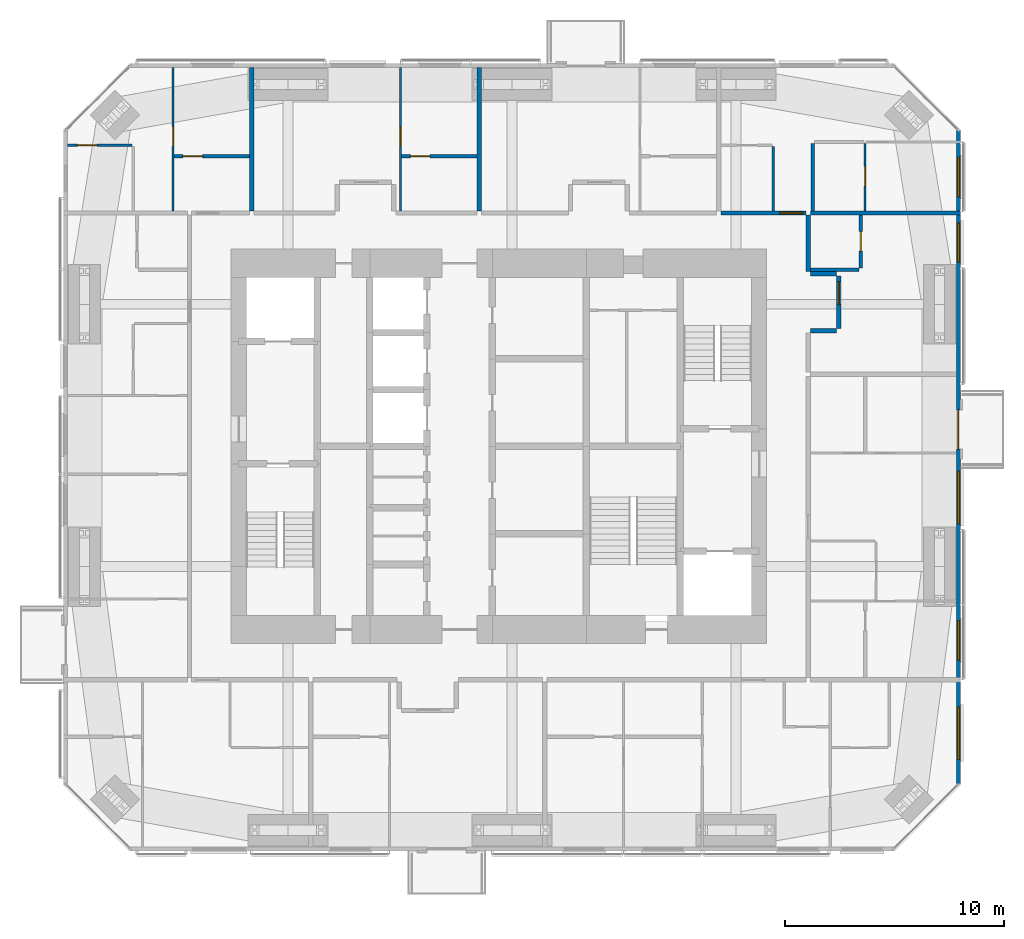
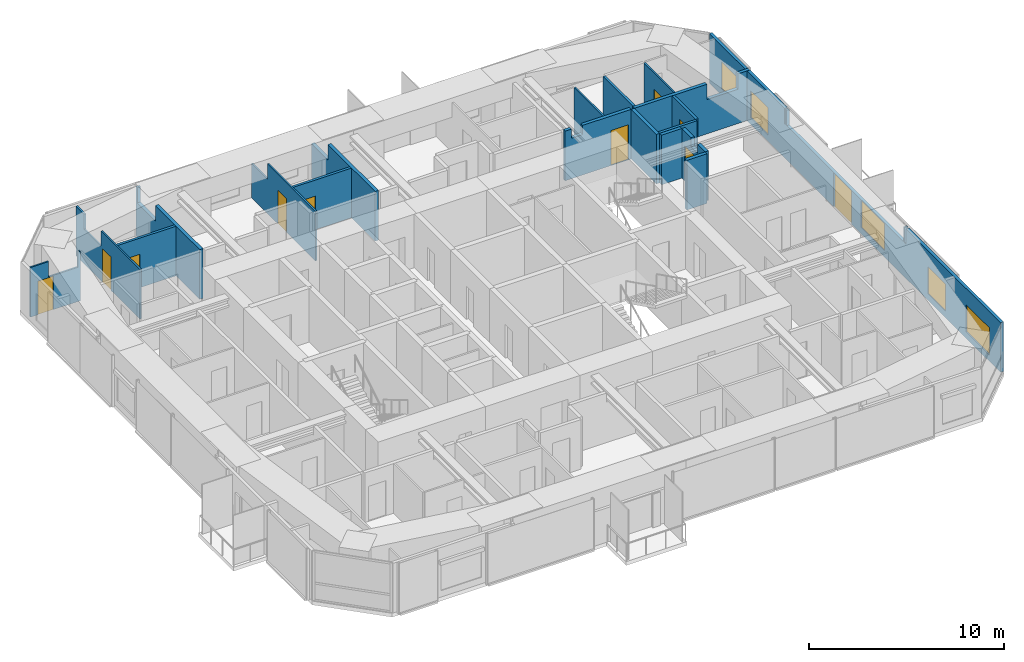
# One storey, part 21 of 23: 19 walls, 10 doors, 5 windows, 15 openings.
"""IFC4 building model written with IfcOpenShell, lengths in metres."""

from ifc_helpers import new_model, si_unit, direction, frame, frame_2d, origin, place, context, subcontext, project, spatial, polyline, rectangle, outline, extrude, material, constituent, constituent_set, type_object, element, fill, save


model = new_model("IFC4")

# Units and contexts
model_context = context("Model", 3, precision=1e-05, world=origin(), true_north=direction((0.0, 1.0)))
body_context = subcontext(model_context, "Body", "Model", "MODEL_VIEW")
ifc_project = project(units=[si_unit("LENGTHUNIT", "METRE"), si_unit("AREAUNIT", "SQUARE_METRE"), si_unit("VOLUMEUNIT", "CUBIC_METRE"), si_unit("PLANEANGLEUNIT", "RADIAN"), si_unit("MASSUNIT", "GRAM", prefix="KILO")], contexts=[model_context])

# Site, building, storey
site_placement = place(None, origin())
site = spatial("IfcSite", under=ifc_project, at=site_placement, CompositionType="ELEMENT")
building_placement = place(site_placement, origin())
building = spatial("IfcBuilding", under=site, at=building_placement, Name="Jalousie Tower", CompositionType="ELEMENT")
storey_placement = place(building_placement, frame((0.0, 0.0, 191.199951171875)))
storey = spatial("IfcBuildingStorey", under=building, at=storey_placement, Name="L52", CompositionType="ELEMENT", Elevation=191.199951171875)

# Wall, opening, door
ifc_material_1 = material(Name="Concrete block ASTM C90", Category="concrete")
ifc_constituent_1 = constituent(ifc_material_1, Name="Body")
ifc_material_2 = material(Name="Render")
ifc_constituent_2 = constituent(ifc_material_2, Name="Finish")
ifc_constituent_set_1 = constituent_set(constituents=[ifc_constituent_1, ifc_constituent_2])
wall_type_1 = type_object("IfcWallType", Name="BATHROOM WALL 150", PredefinedType="PLUMBINGWALL", material=ifc_constituent_set_1)
wall_1_placement = place(storey_placement, frame((17.050048828125, 31.77490234375, 0.0), z_axis=(0.0, 0.0, 1.0), x_axis=(1.0, 0.0, 0.0)))
wall_1 = element("IfcWall", 1, at=wall_1_placement, inside=storey, type_object=wall_type_1, Name="Bathroom Wall 150 L52", PredefinedType="PLUMBINGWALL", context=body_context, shape_type="SweptSolid", body=[
    extrude(rectangle(XDim=3.449951171875, YDim=0.14990234375, at=frame_2d((1.72509765625, 0.0))), origin(), (0.0, 0.0, 1.0), 3.110107421875),
])
opening_1_placement = place(wall_1_placement, frame((0.39990234375, 0.0, 0.0)))
opening_1 = element("IfcOpeningElement", 2, at=opening_1_placement, cuts=wall_1, Name="Opening D3", PredefinedType="OPENING", context=body_context, shape_type="SweptSolid", body=[
    extrude(rectangle(XDim=0.89990234375, YDim=2.10009765625, at=frame_2d((0.449951171875, 1.050048828125))), frame((0.0, 0.0849609375, 0.0), z_axis=(0.0, -1.0, 0.0), x_axis=(1.0, 0.0, 0.0)), (0.0, 0.0, 1.0), 0.169921875),
])
ifc_material_3 = material(Name="Timber door", Category="wood")
door_type_1 = type_object("IfcDoorType", Name="BATHROOM DOOR 900", OperationType="SINGLE_SWING_LEFT", PredefinedType="DOOR", material=ifc_material_3)
door_1_placement = place(opening_1_placement, frame((0.89990234375, 0.0, 0.0), z_axis=(0.0, 0.0, 1.0), x_axis=(-1.0, 0.0, 0.0)))
door_1 = element("IfcDoor", 3, at=door_1_placement, inside=storey, type_object=door_type_1, Name="Apartment 5204 bedroom 1 bathroom door", OperationType="SINGLE_SWING_RIGHT", OverallHeight=2.10009765625, OverallWidth=0.89990234375, PredefinedType="DOOR", context=body_context, shape_type="SweptSolid", body=[
    extrude(rectangle(XDim=0.89990234375, YDim=2.10009765625, at=frame_2d((0.449951171875, 1.050048828125))), frame((0.0, 0.02490234375, 0.0), z_axis=(0.0, -1.0, 0.0), x_axis=(1.0, 0.0, 0.0)), (0.0, 0.0, 1.0), 0.050048828125),
])
fill(opening_1, door_1)

wall_2_placement = place(storey_placement, frame((27.449951171875, 31.77490234375, 0.0), z_axis=(0.0, 0.0, 1.0), x_axis=(1.0, 0.0, 0.0)))
wall_2 = element("IfcWall", 4, at=wall_2_placement, inside=storey, type_object=wall_type_1, Name="Bathroom Wall 150 L52", PredefinedType="PLUMBINGWALL", context=body_context, shape_type="SweptSolid", body=[
    extrude(rectangle(XDim=3.449951171875, YDim=0.14990234375, at=frame_2d((1.72509765625, 0.0))), origin(), (0.0, 0.0, 1.0), 3.110107421875),
])
opening_2_placement = place(wall_2_placement, frame((0.39990234375, 0.0, 0.0)))
opening_2 = element("IfcOpeningElement", 5, at=opening_2_placement, cuts=wall_2, Name="Opening D3", PredefinedType="OPENING", context=body_context, shape_type="SweptSolid", body=[
    extrude(rectangle(XDim=0.89990234375, YDim=2.10009765625, at=frame_2d((0.449951171875, 1.050048828125))), frame((0.0, 0.0849609375, 0.0), z_axis=(0.0, -1.0, 0.0), x_axis=(1.0, 0.0, 0.0)), (0.0, 0.0, 1.0), 0.169921875),
])
door_2_placement = place(opening_2_placement, frame((0.89990234375, 0.0, 0.0), z_axis=(0.0, 0.0, 1.0), x_axis=(-1.0, 0.0, 0.0)))
door_2 = element("IfcDoor", 6, at=door_2_placement, inside=storey, type_object=door_type_1, Name="Apartment 5205 bedroom 1 bathroom door", OperationType="SINGLE_SWING_RIGHT", OverallHeight=2.10009765625, OverallWidth=0.89990234375, PredefinedType="DOOR", context=body_context, shape_type="SweptSolid", body=[
    extrude(rectangle(XDim=0.89990234375, YDim=2.10009765625, at=frame_2d((0.449951171875, 1.050048828125))), frame((0.0, 0.02490234375, 0.0), z_axis=(0.0, -1.0, 0.0), x_axis=(1.0, 0.0, 0.0)), (0.0, 0.0, 1.0), 0.050048828125),
])
fill(opening_2, door_2)

# Wall
wall_3_placement = place(storey_placement, frame((46.25, 32.34521484375, 0.0), z_axis=(0.0, 0.0, 1.0), x_axis=(0.0, -1.0, 0.0)))
element("IfcWall", 7, at=wall_3_placement, inside=storey, type_object=wall_type_1, Name="Bathroom Wall 150 L52", PredefinedType="PLUMBINGWALL", context=body_context, shape_type="SweptSolid", body=[
    extrude(rectangle(XDim=3.0703125, YDim=0.14990234375, at=frame_2d((1.53515625, 0.0))), origin(), (0.0, 0.0, 1.0), 3.110107421875),
])

# Wall, opening, door
wall_4_placement = place(storey_placement, frame((48.449951171875, 26.64990234375, 0.0), z_axis=(0.0, 0.0, 1.0), x_axis=(0.0, 1.0, 0.0)))
wall_4 = element("IfcWall", 8, at=wall_4_placement, inside=storey, type_object=wall_type_1, Name="Bathroom Wall 150 L52", PredefinedType="PLUMBINGWALL", context=body_context, shape_type="SweptSolid", body=[
    extrude(rectangle(XDim=2.425048828125, YDim=0.14990234375, at=frame_2d((1.21240234375, 0.0))), origin(), (0.0, 0.0, 1.0), 3.110107421875),
])
opening_3_placement = place(wall_4_placement, frame((0.77490234375, 0.0, 0.0)))
opening_3 = element("IfcOpeningElement", 9, at=opening_3_placement, cuts=wall_4, Name="Opening D3", PredefinedType="OPENING", context=body_context, shape_type="SweptSolid", body=[
    extrude(rectangle(XDim=0.89990234375, YDim=2.10009765625, at=frame_2d((0.449951171875, 1.050048828125))), frame((0.0, 0.0849609375, 0.0), z_axis=(0.0, -1.0, 0.0), x_axis=(1.0, 0.0, 0.0)), (0.0, 0.0, 1.0), 0.169921875),
])
door_3_placement = place(opening_3_placement, origin())
door_3 = element("IfcDoor", 10, at=door_3_placement, inside=storey, type_object=door_type_1, Name="Apartment 5210 bathroom door", OperationType="SINGLE_SWING_RIGHT", OverallHeight=2.10009765625, OverallWidth=0.89990234375, PredefinedType="DOOR", context=body_context, shape_type="SweptSolid", body=[
    extrude(rectangle(XDim=0.89990234375, YDim=2.10009765625, at=frame_2d((0.449951171875, 1.050048828125))), frame((0.0, 0.02490234375, 0.0), z_axis=(0.0, -1.0, 0.0), x_axis=(1.0, 0.0, 0.0)), (0.0, 0.0, 1.0), 0.050048828125),
])
fill(opening_3, door_3)

# Wall
wall_5_placement = place(storey_placement, frame((48.375, 26.574951171875, 0.0), z_axis=(0.0, 0.0, 1.0), x_axis=(-1.0, 0.0, 0.0)))
element("IfcWall", 11, at=wall_5_placement, inside=storey, type_object=wall_type_1, Name="Bathroom Wall 150 L52", PredefinedType="PLUMBINGWALL", context=body_context, shape_type="SweptSolid", body=[
    extrude(rectangle(XDim=2.22509765625, YDim=0.14990234375, at=frame_2d((1.112548828125, 0.0))), origin(), (0.0, 0.0, 1.0), 3.110107421875),
])

# Wall, opening, door
ifc_material_4 = material(Name="Concrete block ASTM C90", Category="concrete")
ifc_constituent_3 = constituent(ifc_material_4, Name="Body")
ifc_material_5 = material(Name="Render")
ifc_constituent_4 = constituent(ifc_material_5, Name="Finish")
ifc_constituent_set_2 = constituent_set(constituents=[ifc_constituent_3, ifc_constituent_4])
wall_type_2 = type_object("IfcWallType", Name="CORRIDOR WALL 200", PredefinedType="PARTITIONING", material=ifc_constituent_set_2)
wall_6_placement = place(storey_placement, frame((42.050048828125, 29.175048828125, 0.0), z_axis=(0.0, 0.0, 1.0), x_axis=(1.0, 0.0, 0.0)))
wall_6 = element("IfcWall", 12, at=wall_6_placement, inside=storey, type_object=wall_type_2, Name="Corridor Wall 200 L52", PredefinedType="PARTITIONING", context=body_context, shape_type="SweptSolid", body=[
    extrude(outline(polyline([(0.0, 0.0), (3.89990234375, 0.0), (3.89990234375, 3.110107421875), (1.037353515625, 3.110107421875), (1.037353515625, 2.541015625), (0.362548828125, 2.541015625), (0.362548828125, 3.110107421875), (0.0, 3.110107421875), (0.0, 0.0)])), frame((0.0, 0.10009765625, 0.0), z_axis=(0.0, -1.0, 0.0), x_axis=(1.0, 0.0, 0.0)), (0.0, 0.0, 1.0), 0.199951171875),
])
opening_4_placement = place(wall_6_placement, frame((2.699951171875, 0.0, 0.0)))
opening_4 = element("IfcOpeningElement", 13, at=opening_4_placement, cuts=wall_6, Name="Opening D1", PredefinedType="OPENING", context=body_context, shape_type="SweptSolid", body=[
    extrude(rectangle(XDim=1.050048828125, YDim=2.199951171875, at=frame_2d((0.52490234375, 1.10009765625))), frame((0.0, 0.10986328125, 0.0), z_axis=(0.0, -1.0, 0.0), x_axis=(1.0, 0.0, 0.0)), (0.0, 0.0, 1.0), 0.219970703125),
])
ifc_material_6 = material(Name="Timber fire door", Category="wood")
door_type_2 = type_object("IfcDoorType", Name="APARTMENT ENTRANCE DOOR 1050", OperationType="SINGLE_SWING_LEFT", PredefinedType="DOOR", material=ifc_material_6)
door_4_placement = place(opening_4_placement, origin())
door_4 = element("IfcDoor", 14, at=door_4_placement, inside=storey, type_object=door_type_2, Name="Apartment 5207 entrance", OperationType="SINGLE_SWING_LEFT", OverallHeight=2.199951171875, OverallWidth=1.050048828125, PredefinedType="DOOR", context=body_context, shape_type="SweptSolid", body=[
    extrude(rectangle(XDim=1.050048828125, YDim=2.199951171875, at=frame_2d((0.52490234375, 1.10009765625))), frame((0.0, 0.02490234375, 0.0), z_axis=(0.0, -1.0, 0.0), x_axis=(1.0, 0.0, 0.0)), (0.0, 0.0, 1.0), 0.050048828125),
])
fill(opening_4, door_4)

# Wall
wall_7_placement = place(storey_placement, frame((46.050048828125, 26.487548828125, 0.0), z_axis=(0.0, 0.0, 1.0), x_axis=(0.0, 1.0, 0.0)))
element("IfcWall", 15, at=wall_7_placement, inside=storey, type_object=wall_type_2, Name="Corridor Wall 200 L52", PredefinedType="PARTITIONING", context=body_context, shape_type="SweptSolid", body=[
    extrude(rectangle(XDim=2.58740234375, YDim=0.199951171875, at=frame_2d((1.293701171875, 0.0))), origin(), (0.0, 0.0, 1.0), 3.110107421875),
])

# Wall, opening, door
wall_8_placement = place(storey_placement, frame((47.449951171875, 23.887451171875, 0.0), z_axis=(0.0, 0.0, 1.0), x_axis=(0.0, 1.0, 0.0)))
wall_8 = element("IfcWall", 16, at=wall_8_placement, inside=storey, type_object=wall_type_2, Name="Corridor Wall 200 L52", PredefinedType="PARTITIONING", context=body_context, shape_type="SweptSolid", body=[
    extrude(outline(polyline([(0.0, 0.0), (2.400146484375, 0.0), (2.39990234375, 3.110107421875), (1.44970703125, 3.110107421875), (1.44970703125, 2.541015625), (0.775146484375, 2.541015625), (0.775146484375, 3.110107421875), (0.0, 3.110107421875), (0.0, 0.0)])), frame((0.0, 0.10009765625, 0.0), z_axis=(0.0, -1.0, 0.0), x_axis=(1.0, 0.0, 0.0)), (0.0, 0.0, 1.0), 0.199951171875),
])
opening_5_placement = place(wall_8_placement, frame((1.10009765625, 0.0, 0.0)))
opening_5 = element("IfcOpeningElement", 17, at=opening_5_placement, cuts=wall_8, Name="Opening D1", PredefinedType="OPENING", context=body_context, shape_type="SweptSolid", body=[
    extrude(rectangle(XDim=1.050048828125, YDim=2.199951171875, at=frame_2d((0.52490234375, 1.10009765625))), frame((0.0, 0.10986328125, 0.0), z_axis=(0.0, -1.0, 0.0), x_axis=(1.0, 0.0, 0.0)), (0.0, 0.0, 1.0), 0.219970703125),
])
door_5_placement = place(opening_5_placement, frame((1.050048828125, 0.0, 0.0), z_axis=(0.0, 0.0, 1.0), x_axis=(-1.0, 0.0, 0.0)))
door_5 = element("IfcDoor", 18, at=door_5_placement, inside=storey, type_object=door_type_2, Name="Apartment 5210 entrance", OperationType="SINGLE_SWING_LEFT", OverallHeight=2.199951171875, OverallWidth=1.050048828125, PredefinedType="DOOR", context=body_context, shape_type="SweptSolid", body=[
    extrude(rectangle(XDim=1.050048828125, YDim=2.199951171875, at=frame_2d((0.52490234375, 1.10009765625))), frame((0.0, 0.02490234375, 0.0), z_axis=(0.0, -1.0, 0.0), x_axis=(1.0, 0.0, 0.0)), (0.0, 0.0, 1.0), 0.050048828125),
])
fill(opening_5, door_5)

# Walls
for number, where, z_axis, x_axis, name in (
    (19, (46.14990234375, 23.78759765625, 0.0), (0.0, 0.0, 1.0), (1.0, 0.0, 0.0), "Corridor Wall 200 L52"),
    (20, (46.14990234375, 26.387451171875, 0.0), (0.0, 0.0, 1.0), (1.0, 0.0, 0.0), "Corridor Wall 200 L52"),
):
    element("IfcWall", number, at=place(storey_placement, frame(where, z_axis=z_axis, x_axis=x_axis)), inside=storey, type_object=wall_type_2, Name=name, PredefinedType="PARTITIONING", context=body_context, shape_type="SweptSolid", body=[
        extrude(rectangle(XDim=1.2001953125, YDim=0.199951171875, at=frame_2d((0.60009765625, 0.0))), origin(), (0.0, 0.0, 1.0), 3.110107421875),
    ])

# Wall, openings, door, windows
ifc_material_7 = material(Name="Concrete f'c 40 MPa", Category="concrete")
ifc_constituent_5 = constituent(ifc_material_7, Name="Body")
ifc_material_8 = material(Name="Render, pastel lemon")
ifc_constituent_6 = constituent(ifc_material_8, Name="Finish")
ifc_constituent_set_3 = constituent_set(constituents=[ifc_constituent_5, ifc_constituent_6])
wall_type_3 = type_object("IfcWallType", Name="EXTERNAL WALL 175 LEMON RENDER", PredefinedType="SOLIDWALL", material=ifc_constituent_set_3)
wall_9_placement = place(storey_placement, frame((52.91259765625, 3.05126953125, 0.0), z_axis=(0.0, 0.0, 1.0), x_axis=(0.0, 1.0, 0.0)))
wall_9 = element("IfcWall", 21, at=wall_9_placement, inside=storey, type_object=wall_type_3, Name="External Wall 175 Lemon Render L52", PredefinedType="SOLIDWALL", context=body_context, shape_type="SweptSolid", body=[
    extrude(outline(polyline([(0.0, 0.0), (29.8974609375, 0.0), (29.8974609375, 3.110107421875), (22.16748046875, 3.110107421875), (22.16748046875, 2.150146484375), (22.073974609375, 2.150146484375), (22.073974609375, 3.110107421875), (21.94873046875, 3.110107421875), (21.94873046875, 2.150146484375), (9.94873046875, 2.150146484375), (9.94873046875, 3.110107421875), (9.846923828125, 3.110107421875), (9.846923828125, 2.150146484375), (9.7060546875, 2.150146484375), (9.7060546875, 3.110107421875), (0.0, 3.110107421875), (0.0, 0.0)])), frame((0.0, 0.08740234375, 0.0), z_axis=(0.0, -1.0, 0.0), x_axis=(1.0, 0.0, 0.0)), (0.0, 0.0, 1.0), 0.175048828125),
])
opening_6_placement = place(wall_9_placement, frame((1.136962890625, 0.0, 0.39990234375)))
opening_6 = element("IfcOpeningElement", 22, at=opening_6_placement, cuts=wall_9, Name="Opening W-LIV170", PredefinedType="OPENING", context=body_context, shape_type="SweptSolid", body=[
    extrude(rectangle(XDim=2.39990234375, YDim=1.699951171875, at=frame_2d((1.199951171875, 0.85009765625))), frame((0.0, 0.097412109375, 0.0), z_axis=(0.0, -1.0, 0.0), x_axis=(1.0, 0.0, 0.0)), (0.0, 0.0, 1.0), 0.195068359375),
])
opening_7_placement = place(wall_9_placement, frame((5.673583984375, 0.0, 0.39990234375)))
opening_7 = element("IfcOpeningElement", 23, at=opening_7_placement, cuts=wall_9, Name="Opening W-BED170", PredefinedType="OPENING", context=body_context, shape_type="SweptSolid", body=[
    extrude(rectangle(XDim=1.800048828125, YDim=1.699951171875, at=frame_2d((0.89990234375, 0.85009765625))), frame((0.0, 0.097412109375, 0.0), z_axis=(0.0, -1.0, 0.0), x_axis=(1.0, 0.0, 0.0)), (0.0, 0.0, 1.0), 0.195068359375),
])
opening_8_placement = place(wall_9_placement, frame((11.90185546875, 0.0, 0.39990234375)))
opening_8 = element("IfcOpeningElement", 24, at=opening_8_placement, cuts=wall_9, Name="Opening W-LIV170", PredefinedType="OPENING", context=body_context, shape_type="SweptSolid", body=[
    extrude(rectangle(XDim=2.39990234375, YDim=1.699951171875, at=frame_2d((1.199951171875, 0.85009765625))), frame((0.0, 0.097412109375, 0.0), z_axis=(0.0, -1.0, 0.0), x_axis=(1.0, 0.0, 0.0)), (0.0, 0.0, 1.0), 0.195068359375),
])
opening_9_placement = place(wall_9_placement, frame((15.32373046875, 0.0, 0.0)))
opening_9 = element("IfcOpeningElement", 25, at=opening_9_placement, cuts=wall_9, Name="Opening D-BAL21", PredefinedType="OPENING", context=body_context, shape_type="SweptSolid", body=[
    extrude(rectangle(XDim=1.800048828125, YDim=2.10009765625, at=frame_2d((0.89990234375, 1.050048828125))), frame((0.0, 0.097412109375, 0.0), z_axis=(0.0, -1.0, 0.0), x_axis=(1.0, 0.0, 0.0)), (0.0, 0.0, 1.0), 0.195068359375),
])
opening_10_placement = place(wall_9_placement, frame((23.873779296875, 0.0, 0.39990234375)))
opening_10 = element("IfcOpeningElement", 26, at=opening_10_placement, cuts=wall_9, Name="Opening W-BED170", PredefinedType="OPENING", context=body_context, shape_type="SweptSolid", body=[
    extrude(rectangle(XDim=1.800048828125, YDim=1.699951171875, at=frame_2d((0.89990234375, 0.85009765625))), frame((0.0, 0.097412109375, 0.0), z_axis=(0.0, -1.0, 0.0), x_axis=(1.0, 0.0, 0.0)), (0.0, 0.0, 1.0), 0.195068359375),
])
opening_11_placement = place(wall_9_placement, frame((26.871337890625, 0.0, 0.39990234375)))
opening_11 = element("IfcOpeningElement", 27, at=opening_11_placement, cuts=wall_9, Name="Opening W-BED170", PredefinedType="OPENING", context=body_context, shape_type="SweptSolid", body=[
    extrude(rectangle(XDim=1.800048828125, YDim=1.699951171875, at=frame_2d((0.89990234375, 0.85009765625))), frame((0.0, 0.097412109375, 0.0), z_axis=(0.0, -1.0, 0.0), x_axis=(1.0, 0.0, 0.0)), (0.0, 0.0, 1.0), 0.195068359375),
])
ifc_material_9 = material(Name="Aluminium frame, impact-rated glazing", Category="aluminium")
door_type_3 = type_object("IfcDoorType", Name="BALCONY DOOR 1800x2100", OperationType="SLIDING_TO_LEFT", PredefinedType="DOOR", material=ifc_material_9)
door_6_placement = place(opening_9_placement, origin())
door_6 = element("IfcDoor", 28, at=door_6_placement, inside=storey, type_object=door_type_3, Name="Apartment 5209 bedroom 2 balcony door", OperationType="SLIDING_TO_LEFT", OverallHeight=2.10009765625, OverallWidth=1.800048828125, PredefinedType="DOOR", context=body_context, shape_type="SweptSolid", body=[
    extrude(rectangle(XDim=1.800048828125, YDim=2.10009765625, at=frame_2d((0.89990234375, 1.050048828125))), frame((0.0, 0.02490234375, 0.0), z_axis=(0.0, -1.0, 0.0), x_axis=(1.0, 0.0, 0.0)), (0.0, 0.0, 1.0), 0.050048828125),
])
fill(opening_9, door_6)
ifc_material_10 = material(Name="Aluminium frame, impact-rated glazing", Category="aluminium")
window_type_1 = type_object("IfcWindowType", Name="WINDOW BED 1800x1700", PartitioningType="SINGLE_PANEL", PredefinedType="WINDOW", material=ifc_material_10)
window_1_placement = place(opening_7_placement, origin())
window_1 = element("IfcWindow", 29, at=window_1_placement, inside=storey, type_object=window_type_1, Name="Apartment 5209 bedroom 1 window", OverallHeight=1.699951171875, OverallWidth=1.800048828125, PartitioningType="SINGLE_PANEL", PredefinedType="WINDOW", context=body_context, shape_type="SweptSolid", body=[
    extrude(rectangle(XDim=1.800048828125, YDim=1.699951171875, at=frame_2d((0.89990234375, 0.85009765625))), frame((0.0, 0.030029296875, 0.0), z_axis=(0.0, -1.0, 0.0), x_axis=(1.0, 0.0, 0.0)), (0.0, 0.0, 1.0), 0.06005859375),
])
fill(opening_7, window_1)
window_2_placement = place(opening_10_placement, origin())
window_2 = element("IfcWindow", 30, at=window_2_placement, inside=storey, type_object=window_type_1, Name="Apartment 5210 studio kitchen, living and sleeping room window", OverallHeight=1.699951171875, OverallWidth=1.800048828125, PartitioningType="SINGLE_PANEL", PredefinedType="WINDOW", context=body_context, shape_type="SweptSolid", body=[
    extrude(rectangle(XDim=1.800048828125, YDim=1.699951171875, at=frame_2d((0.89990234375, 0.85009765625))), frame((0.0, 0.030029296875, 0.0), z_axis=(0.0, -1.0, 0.0), x_axis=(1.0, 0.0, 0.0)), (0.0, 0.0, 1.0), 0.06005859375),
])
fill(opening_10, window_2)
window_3_placement = place(opening_11_placement, origin())
window_3 = element("IfcWindow", 31, at=window_3_placement, inside=storey, type_object=window_type_1, Name="Apartment 5207 bedroom 1 window", OverallHeight=1.699951171875, OverallWidth=1.800048828125, PartitioningType="SINGLE_PANEL", PredefinedType="WINDOW", context=body_context, shape_type="SweptSolid", body=[
    extrude(rectangle(XDim=1.800048828125, YDim=1.699951171875, at=frame_2d((0.89990234375, 0.85009765625))), frame((0.0, 0.030029296875, 0.0), z_axis=(0.0, -1.0, 0.0), x_axis=(1.0, 0.0, 0.0)), (0.0, 0.0, 1.0), 0.06005859375),
])
fill(opening_11, window_3)
ifc_material_11 = material(Name="Aluminium frame, impact-rated glazing", Category="aluminium")
window_type_2 = type_object("IfcWindowType", Name="WINDOW LIV 2400x1700", PartitioningType="DOUBLE_PANEL_VERTICAL", PredefinedType="WINDOW", material=ifc_material_11)
window_4_placement = place(opening_6_placement, origin())
window_4 = element("IfcWindow", 32, at=window_4_placement, inside=storey, type_object=window_type_2, Name="Apartment 5203 living and dining room window", OverallHeight=1.699951171875, OverallWidth=2.39990234375, PartitioningType="SINGLE_PANEL", PredefinedType="WINDOW", context=body_context, shape_type="SweptSolid", body=[
    extrude(rectangle(XDim=2.39990234375, YDim=1.699951171875, at=frame_2d((1.199951171875, 0.85009765625))), frame((0.0, 0.030029296875, 0.0), z_axis=(0.0, -1.0, 0.0), x_axis=(1.0, 0.0, 0.0)), (0.0, 0.0, 1.0), 0.06005859375),
])
fill(opening_6, window_4)
window_5_placement = place(opening_8_placement, origin())
window_5 = element("IfcWindow", 33, at=window_5_placement, inside=storey, type_object=window_type_2, Name="Apartment 5209 living and dining room window", OverallHeight=1.699951171875, OverallWidth=2.39990234375, PartitioningType="SINGLE_PANEL", PredefinedType="WINDOW", context=body_context, shape_type="SweptSolid", body=[
    extrude(rectangle(XDim=2.39990234375, YDim=1.699951171875, at=frame_2d((1.199951171875, 0.85009765625))), frame((0.0, 0.030029296875, 0.0), z_axis=(0.0, -1.0, 0.0), x_axis=(1.0, 0.0, 0.0)), (0.0, 0.0, 1.0), 0.06005859375),
])
fill(opening_8, window_5)

# Wall, opening, door
ifc_material_12 = material(Name="Gypsum board", Category="gypsum")
ifc_constituent_7 = constituent(ifc_material_12, Name="Body")
ifc_material_13 = material(Name="Light-gauge steel studs ASTM A653 SS Grade 33", Category="steel")
ifc_constituent_8 = constituent(ifc_material_13, Name="Framing")
ifc_constituent_set_4 = constituent_set(constituents=[ifc_constituent_7, ifc_constituent_8])
wall_type_4 = type_object("IfcWallType", Name="PARTITION 100", PredefinedType="PARTITIONING", material=ifc_constituent_set_4)
wall_10_placement = place(storey_placement, frame((17.0, 35.824951171875, 0.0), z_axis=(0.0, 0.0, 1.0), x_axis=(0.0, -1.0, 0.0)))
wall_10 = element("IfcWall", 34, at=wall_10_placement, inside=storey, type_object=wall_type_4, Name="Partition 100 L52", PredefinedType="PARTITIONING", context=body_context, shape_type="SweptSolid", body=[
    extrude(outline(polyline([(0.0, 0.0), (6.550048828125, 0.0), (6.550048828125, 3.110107421875), (2.57763671875, 3.110107421875), (2.57763671875, 2.150146484375), (0.830810546875, 2.150146484375), (0.830810546875, 3.110107421875), (0.0, 3.110107421875), (0.0, 0.0)])), frame((0.0, 0.050048828125, 0.0), z_axis=(0.0, -1.0, 0.0), x_axis=(1.0, 0.0, 0.0)), (0.0, 0.0, 1.0), 0.10009765625),
])
opening_12_placement = place(wall_10_placement, frame((2.699951171875, 0.0, 0.0)))
opening_12 = element("IfcOpeningElement", 35, at=opening_12_placement, cuts=wall_10, Name="Opening D2", PredefinedType="OPENING", context=body_context, shape_type="SweptSolid", body=[
    extrude(rectangle(XDim=0.89990234375, YDim=2.10009765625, at=frame_2d((0.449951171875, 1.050048828125))), frame((0.0, 0.06005859375, 0.0), z_axis=(0.0, -1.0, 0.0), x_axis=(1.0, 0.0, 0.0)), (0.0, 0.0, 1.0), 0.1201171875),
])
ifc_material_14 = material(Name="Timber door", Category="wood")
door_type_4 = type_object("IfcDoorType", Name="BEDROOM DOOR 900", OperationType="SINGLE_SWING_LEFT", PredefinedType="DOOR", material=ifc_material_14)
door_7_placement = place(opening_12_placement, origin())
door_7 = element("IfcDoor", 36, at=door_7_placement, inside=storey, type_object=door_type_4, Name="Apartment 5204 bedroom 1 door", OperationType="SINGLE_SWING_RIGHT", OverallHeight=2.10009765625, OverallWidth=0.89990234375, PredefinedType="DOOR", context=body_context, shape_type="SweptSolid", body=[
    extrude(rectangle(XDim=0.89990234375, YDim=2.10009765625, at=frame_2d((0.449951171875, 1.050048828125))), frame((0.0, 0.02490234375, 0.0), z_axis=(0.0, -1.0, 0.0), x_axis=(1.0, 0.0, 0.0)), (0.0, 0.0, 1.0), 0.050048828125),
])
fill(opening_12, door_7)

wall_11_placement = place(storey_placement, frame((12.175048828125, 32.27490234375, 0.0), z_axis=(0.0, 0.0, 1.0), x_axis=(1.0, 0.0, 0.0)))
wall_11 = element("IfcWall", 37, at=wall_11_placement, inside=storey, type_object=wall_type_4, Name="Partition 100 L52", PredefinedType="PARTITIONING", context=body_context, shape_type="SweptSolid", body=[
    extrude(outline(polyline([(0.0, 0.0), (2.949951171875, 0.0), (2.949951171875, 3.110107421875), (2.822265625, 3.110107421875), (2.822265625, 2.150146484375), (1.079833984375, 2.150146484375), (1.079833984375, 3.110107421875), (0.0, 3.110107421875), (0.0, 0.0)])), frame((0.0, 0.050048828125, 0.0), z_axis=(0.0, -1.0, 0.0), x_axis=(1.0, 0.0, 0.0)), (0.0, 0.0, 1.0), 0.10009765625),
])
opening_13_placement = place(wall_11_placement, frame((0.449951171875, 0.0, 0.0)))
opening_13 = element("IfcOpeningElement", 38, at=opening_13_placement, cuts=wall_11, Name="Opening D7", PredefinedType="OPENING", context=body_context, shape_type="SweptSolid", body=[
    extrude(rectangle(XDim=0.89990234375, YDim=2.10009765625, at=frame_2d((0.449951171875, 1.050048828125))), frame((0.0, 0.06005859375, 0.0), z_axis=(0.0, -1.0, 0.0), x_axis=(1.0, 0.0, 0.0)), (0.0, 0.0, 1.0), 0.1201171875),
])
ifc_material_15 = material(Name="Timber door", Category="wood")
door_type_5 = type_object("IfcDoorType", Name="INTERNAL DOOR 900", OperationType="SINGLE_SWING_LEFT", PredefinedType="DOOR", material=ifc_material_15)
door_8_placement = place(opening_13_placement, frame((0.89990234375, 0.0, 0.0), z_axis=(0.0, 0.0, 1.0), x_axis=(-1.0, 0.0, 0.0)))
door_8 = element("IfcDoor", 39, at=door_8_placement, inside=storey, type_object=door_type_5, Name="Apartment 5204 kitchen door", OperationType="SINGLE_SWING_RIGHT", OverallHeight=2.10009765625, OverallWidth=0.89990234375, PredefinedType="DOOR", context=body_context, shape_type="SweptSolid", body=[
    extrude(rectangle(XDim=0.89990234375, YDim=2.10009765625, at=frame_2d((0.449951171875, 1.050048828125))), frame((0.0, 0.02490234375, 0.0), z_axis=(0.0, -1.0, 0.0), x_axis=(1.0, 0.0, 0.0)), (0.0, 0.0, 1.0), 0.050048828125),
])
fill(opening_13, door_8)

wall_12_placement = place(storey_placement, frame((27.39990234375, 35.824951171875, 0.0), z_axis=(0.0, 0.0, 1.0), x_axis=(0.0, -1.0, 0.0)))
wall_12 = element("IfcWall", 40, at=wall_12_placement, inside=storey, type_object=wall_type_4, Name="Partition 100 L52", PredefinedType="PARTITIONING", context=body_context, shape_type="SweptSolid", body=[
    extrude(outline(polyline([(0.0, 0.0), (6.550048828125, 0.0), (6.550048828125, 3.110107421875), (1.635009765625, 3.110107421875), (1.635009765625, 2.150146484375), (0.0, 2.150146484375), (0.0, 3.110107421875), (0.0, 0.0)])), frame((0.0, 0.050048828125, 0.0), z_axis=(0.0, -1.0, 0.0), x_axis=(1.0, 0.0, 0.0)), (0.0, 0.0, 1.0), 0.10009765625),
])
opening_14_placement = place(wall_12_placement, frame((2.699951171875, 0.0, 0.0)))
opening_14 = element("IfcOpeningElement", 41, at=opening_14_placement, cuts=wall_12, Name="Opening D2", PredefinedType="OPENING", context=body_context, shape_type="SweptSolid", body=[
    extrude(rectangle(XDim=0.89990234375, YDim=2.10009765625, at=frame_2d((0.449951171875, 1.050048828125))), frame((0.0, 0.06005859375, 0.0), z_axis=(0.0, -1.0, 0.0), x_axis=(1.0, 0.0, 0.0)), (0.0, 0.0, 1.0), 0.1201171875),
])
door_9_placement = place(opening_14_placement, origin())
door_9 = element("IfcDoor", 42, at=door_9_placement, inside=storey, type_object=door_type_4, Name="Apartment 5205 bedroom 1 door", OperationType="SINGLE_SWING_RIGHT", OverallHeight=2.10009765625, OverallWidth=0.89990234375, PredefinedType="DOOR", context=body_context, shape_type="SweptSolid", body=[
    extrude(rectangle(XDim=0.89990234375, YDim=2.10009765625, at=frame_2d((0.449951171875, 1.050048828125))), frame((0.0, 0.02490234375, 0.0), z_axis=(0.0, -1.0, 0.0), x_axis=(1.0, 0.0, 0.0)), (0.0, 0.0, 1.0), 0.050048828125),
])
fill(opening_14, door_9)

wall_13_placement = place(storey_placement, frame((48.64990234375, 32.34521484375, 0.0), z_axis=(0.0, 0.0, 1.0), x_axis=(0.0, -1.0, 0.0)))
wall_13 = element("IfcWall", 43, at=wall_13_placement, inside=storey, type_object=wall_type_4, Name="Partition 100 L52", PredefinedType="PARTITIONING", context=body_context, shape_type="SweptSolid", body=[
    extrude(rectangle(XDim=3.0703125, YDim=0.10009765625, at=frame_2d((1.53515625, 0.0))), origin(), (0.0, 0.0, 1.0), 3.110107421875),
])
opening_15_placement = place(wall_13_placement, frame((1.047607421875, 0.0, 0.0)))
opening_15 = element("IfcOpeningElement", 44, at=opening_15_placement, cuts=wall_13, Name="Opening D3", PredefinedType="OPENING", context=body_context, shape_type="SweptSolid", body=[
    extrude(rectangle(XDim=0.89990234375, YDim=2.10009765625, at=frame_2d((0.449951171875, 1.050048828125))), frame((0.0, 0.06005859375, 0.0), z_axis=(0.0, -1.0, 0.0), x_axis=(1.0, 0.0, 0.0)), (0.0, 0.0, 1.0), 0.1201171875),
])
door_10_placement = place(opening_15_placement, frame((0.89990234375, 0.0, 0.0), z_axis=(0.0, 0.0, 1.0), x_axis=(-1.0, 0.0, 0.0)))
door_10 = element("IfcDoor", 45, at=door_10_placement, inside=storey, type_object=door_type_1, Name="Apartment 5207 bedroom 1 bathroom door", OperationType="SINGLE_SWING_RIGHT", OverallHeight=2.10009765625, OverallWidth=0.89990234375, PredefinedType="DOOR", context=body_context, shape_type="SweptSolid", body=[
    extrude(rectangle(XDim=0.89990234375, YDim=2.10009765625, at=frame_2d((0.449951171875, 1.050048828125))), frame((0.0, 0.02490234375, 0.0), z_axis=(0.0, -1.0, 0.0), x_axis=(1.0, 0.0, 0.0)), (0.0, 0.0, 1.0), 0.050048828125),
])
fill(opening_15, door_10)

# Walls
wall_14_placement = place(storey_placement, frame((44.449951171875, 32.22509765625, 0.0), z_axis=(0.0, 0.0, 1.0), x_axis=(0.0, -1.0, 0.0)))
element("IfcWall", 46, at=wall_14_placement, inside=storey, type_object=wall_type_4, Name="Partition 100 L52", PredefinedType="PARTITIONING", context=body_context, shape_type="SweptSolid", body=[
    extrude(rectangle(XDim=2.9501953125, YDim=0.10009765625, at=frame_2d((1.47509765625, 0.0))), origin(), (0.0, 0.0, 1.0), 3.110107421875),
])
ifc_material_16 = material(Name="Concrete block ASTM C90", Category="concrete")
ifc_constituent_9 = constituent(ifc_material_16, Name="Body")
ifc_material_17 = material(Name="Render")
ifc_constituent_10 = constituent(ifc_material_17, Name="Finish")
ifc_constituent_set_5 = constituent_set(constituents=[ifc_constituent_9, ifc_constituent_10])
wall_type_5 = type_object("IfcWallType", Name="PARTY WALL 200", PredefinedType="PARTITIONING", material=ifc_constituent_set_5)
wall_15_placement = place(storey_placement, frame((20.60009765625, 35.824951171875, 0.0), z_axis=(0.0, 0.0, 1.0), x_axis=(0.0, -1.0, 0.0)))
element("IfcWall", 47, at=wall_15_placement, inside=storey, type_object=wall_type_5, Name="Party Wall 200 L52", PredefinedType="PARTITIONING", context=body_context, shape_type="SweptSolid", body=[
    extrude(outline(polyline([(0.0, 0.0), (6.550048828125, 0.0), (6.550048828125, 3.110107421875), (1.9912109375, 3.110107421875), (1.9912109375, 2.150146484375), (0.142822265625, 2.150146484375), (0.142822265625, 3.110107421875), (0.0, 3.110107421875), (0.0, 0.0)])), frame((0.0, 0.10009765625, 0.0), z_axis=(0.0, -1.0, 0.0), x_axis=(1.0, 0.0, 0.0)), (0.0, 0.0, 1.0), 0.199951171875),
])
wall_16_placement = place(storey_placement, frame((31.0, 35.824951171875, 0.0), z_axis=(0.0, 0.0, 1.0), x_axis=(0.0, -1.0, 0.0)))
element("IfcWall", 48, at=wall_16_placement, inside=storey, type_object=wall_type_5, Name="Party Wall 200 L52", PredefinedType="PARTITIONING", context=body_context, shape_type="SweptSolid", body=[
    extrude(outline(polyline([(0.0, 0.0), (6.550048828125, 0.0), (6.550048828125, 3.110107421875), (1.68505859375, 3.110107421875), (1.68505859375, 2.150146484375), (0.0, 2.150146484375), (0.0, 3.110107421875), (0.0, 0.0)])), frame((0.0, 0.10009765625, 0.0), z_axis=(0.0, -1.0, 0.0), x_axis=(1.0, 0.0, 0.0)), (0.0, 0.0, 1.0), 0.199951171875),
])
wall_17_placement = place(storey_placement, frame((46.14990234375, 29.175048828125, 0.0), z_axis=(0.0, 0.0, 1.0), x_axis=(1.0, 0.0, 0.0)))
element("IfcWall", 49, at=wall_17_placement, inside=storey, type_object=wall_type_5, Name="Party Wall 200 L52", PredefinedType="PARTITIONING", context=body_context, shape_type="SweptSolid", body=[
    extrude(outline(polyline([(0.0, 0.0), (6.85009765625, 0.0), (6.85009765625, 3.110107421875), (6.14697265625, 3.110107421875), (6.14697265625, 2.150146484375), (4.30322265625, 2.150146484375), (4.30322265625, 3.110107421875), (0.0, 3.110107421875), (0.0, 0.0)])), frame((0.0, 0.10009765625, 0.0), z_axis=(0.0, -1.0, 0.0), x_axis=(1.0, 0.0, 0.0)), (0.0, 0.0, 1.0), 0.199951171875),
])

save(model, "model.ifc")
